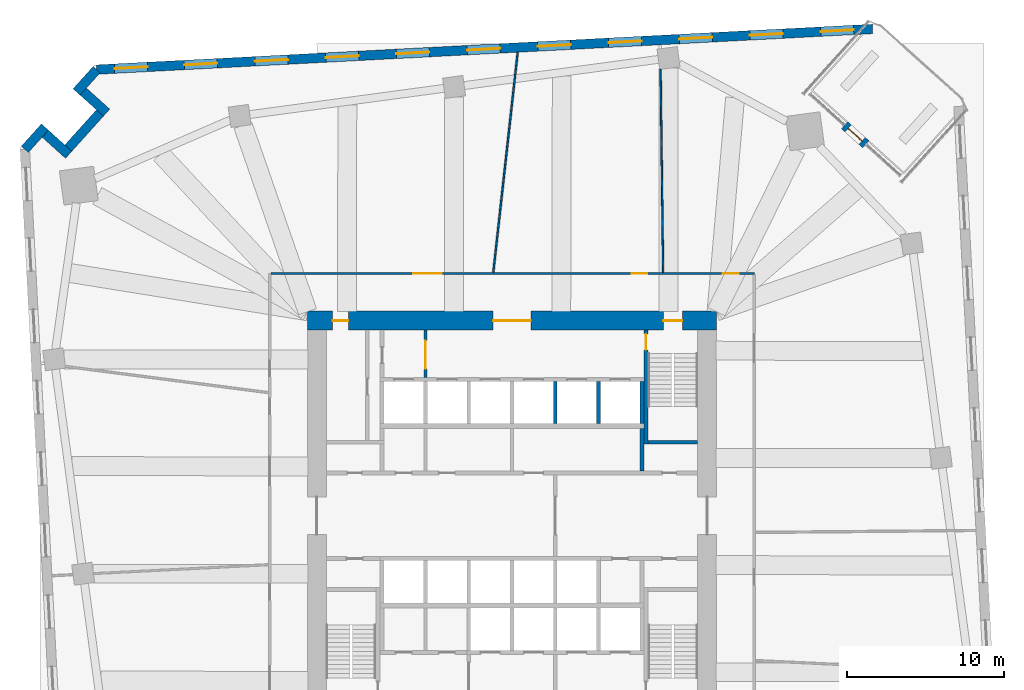
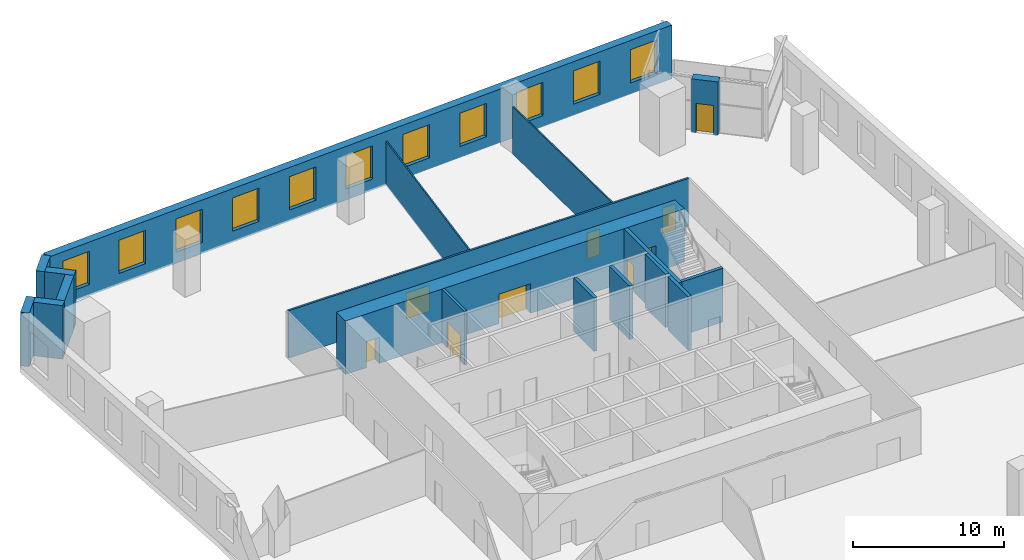
# One storey, part 7 of 10: 18 walls, 11 windows, 9 doors, 20 openings.
"""IFC4 building model written with IfcOpenShell, lengths in metres."""

from ifc_helpers import new_model, si_unit, direction, frame, frame_2d, origin, place, context, subcontext, project, spatial, rectangle, extrude, material, layer, layer_set, type_object, element, fill, save


model = new_model("IFC4")

# Units and contexts
model_context = context("Model", 3, precision=1e-05, world=origin(), true_north=direction((0.0, 1.0)))
body_context = subcontext(model_context, "Body", "Model", "MODEL_VIEW")
ifc_project = project(units=[si_unit("LENGTHUNIT", "METRE"), si_unit("AREAUNIT", "SQUARE_METRE"), si_unit("VOLUMEUNIT", "CUBIC_METRE"), si_unit("PLANEANGLEUNIT", "RADIAN"), si_unit("MASSUNIT", "GRAM", prefix="KILO")], contexts=[model_context])

# Site, building, storey
site_placement = place(None, origin())
site = spatial("IfcSite", under=ifc_project, at=site_placement, CompositionType="ELEMENT")
building_placement = place(site_placement, origin())
building = spatial("IfcBuilding", under=site, at=building_placement, Name="Dilmun Exchange Tower", CompositionType="ELEMENT")
storey_placement = place(building_placement, frame((0.0, 0.0, 22.5)))
storey = spatial("IfcBuildingStorey", under=building, at=storey_placement, Name="L05", CompositionType="ELEMENT", Elevation=22.5)

# Wall, opening, door
ifc_material_1 = material(Name="Concrete C40/50", Category="concrete")
ifc_layer_1 = layer(ifc_material_1, 0.199951171875)
ifc_layer_set_1 = layer_set([ifc_layer_1], Name="Concrete C40/50")
wall_type_1 = type_object("IfcWallType", Name="Core partition wall 200", PredefinedType="PARTITIONING", material=ifc_layer_set_1)
wall_1_placement = place(storey_placement, frame((-5.5, 8.804931640625, 0.0), z_axis=(0.0, 0.0, 1.0), x_axis=(0.0, 1.0, 0.0)))
wall_1 = element("IfcWall", 1, at=wall_1_placement, inside=storey, type_object=wall_type_1, Name="L05 core partition wall 19", PredefinedType="PARTITIONING", context=body_context, shape_type="SweptSolid", body=[
    extrude(rectangle(XDim=2.989990234375, YDim=0.199951171875, at=frame_2d((1.4951171875, 0.0))), origin(), (0.0, 0.0, 1.0), 4.35009765625),
])
opening_1_placement = place(wall_1_placement, frame((0.532470703125, 0.0, 0.0)))
opening_1 = element("IfcOpeningElement", 2, at=opening_1_placement, cuts=wall_1, Name="Opening CD5", PredefinedType="OPENING", context=body_context, shape_type="SweptSolid", body=[
    extrude(rectangle(XDim=1.800048828125, YDim=2.10009765625, at=frame_2d((0.89990234375, 1.050048828125))), frame((0.0, 0.10986328125, 0.0), z_axis=(0.0, -1.0, 0.0), x_axis=(1.0, 0.0, 0.0)), (0.0, 0.0, 1.0), 0.219970703125),
])
ifc_material_2 = material(Name="Fire-rated steel door set", Category="steel")
door_type_1 = type_object("IfcDoorType", Name="Stair exit door 1800x2100", OperationType="SINGLE_SWING_LEFT", PredefinedType="DOOR", material=ifc_material_2)
door_1_placement = place(opening_1_placement, origin())
door_1 = element("IfcDoor", 3, at=door_1_placement, inside=storey, type_object=door_type_1, Name="L05 door Lift lobby east", OperationType="SINGLE_SWING_LEFT", OverallHeight=2.10009765625, OverallWidth=1.800048828125, PredefinedType="DOOR", context=body_context, shape_type="SweptSolid", body=[
    extrude(rectangle(XDim=1.800048828125, YDim=2.10009765625, at=frame_2d((0.89990234375, 1.050048828125))), frame((0.0, 0.02490234375, 0.0), z_axis=(0.0, -1.0, 0.0), x_axis=(1.0, 0.0, 0.0)), (0.0, 0.0, 1.0), 0.050048828125),
])
fill(opening_1, door_1)

# Wall
ifc_layer_2 = layer(ifc_material_1, 0.25)
ifc_layer_set_2 = layer_set([ifc_layer_2], Name="Concrete C40/50")
wall_type_2 = type_object("IfcWallType", Name="Core partition wall 250", PredefinedType="PARTITIONING", material=ifc_layer_set_2)
wall_2_placement = place(storey_placement, frame((8.25, 2.85498046875, 0.0), z_axis=(0.0, 0.0, 1.0), x_axis=(0.0, 1.0, 0.0)))
element("IfcWall", 4, at=wall_2_placement, inside=storey, type_object=wall_type_2, Name="L05 core partition wall 14", PredefinedType="PARTITIONING", context=body_context, shape_type="SweptSolid", body=[
    extrude(rectangle(XDim=2.68994140625, YDim=0.25, at=frame_2d((1.344970703125, 0.0))), origin(), (0.0, 0.0, 1.0), 4.35009765625),
])

# Wall, openings, doors
ifc_material_3 = material(Name="Concrete C80/95", Category="concrete")
ifc_layer_3 = layer(ifc_material_3, 1.199951171875)
ifc_layer_set_3 = layer_set([ifc_layer_3], Name="Concrete C80/95")
wall_type_3 = type_object("IfcWallType", Name="Core shear wall 1200 Concrete C80/95", PredefinedType="SHEAR", material=ifc_layer_set_3)
wall_3_placement = place(storey_placement, frame((-13.0, 12.39990234375, 0.0), z_axis=(0.0, 0.0, 1.0), x_axis=(1.0, 0.0, 0.0)))
wall_3 = element("IfcWall", 5, at=wall_3_placement, inside=storey, type_object=wall_type_3, Name="L05 core shear wall N", PredefinedType="SHEAR", context=body_context, shape_type="SweptSolid", body=[
    extrude(rectangle(XDim=26.0, YDim=1.199951171875, at=frame_2d((13.0, 0.0))), origin(), (0.0, 0.0, 1.0), 4.35009765625),
])
opening_2_placement = place(wall_3_placement, frame((11.800048828125, 0.0, 0.0)))
opening_2 = element("IfcOpeningElement", 6, at=opening_2_placement, cuts=wall_3, Name="Opening CD1", PredefinedType="OPENING", context=body_context, shape_type="SweptSolid", body=[
    extrude(rectangle(XDim=2.39990234375, YDim=2.39990234375, at=frame_2d((1.199951171875, 1.199951171875))), frame((0.0, 0.60986328125, 0.0), z_axis=(0.0, -1.0, 0.0), x_axis=(1.0, 0.0, 0.0)), (0.0, 0.0, 1.0), 1.219970703125),
])
opening_3_placement = place(wall_3_placement, frame((22.625, 0.0, 0.0)))
opening_3 = element("IfcOpeningElement", 7, at=opening_3_placement, cuts=wall_3, Name="Opening CD3", PredefinedType="OPENING", context=body_context, shape_type="SweptSolid", body=[
    extrude(rectangle(XDim=1.199951171875, YDim=2.10009765625, at=frame_2d((0.60009765625, 1.050048828125))), frame((0.0, 0.60986328125, 0.0), z_axis=(0.0, -1.0, 0.0), x_axis=(1.0, 0.0, 0.0)), (0.0, 0.0, 1.0), 1.219970703125),
])
opening_4_placement = place(wall_3_placement, frame((1.60009765625, 0.0, 0.0)))
opening_4 = element("IfcOpeningElement", 8, at=opening_4_placement, cuts=wall_3, Name="Opening CD4", PredefinedType="OPENING", context=body_context, shape_type="SweptSolid", body=[
    extrude(rectangle(XDim=1.0, YDim=2.10009765625, at=frame_2d((0.5, 1.050048828125))), frame((0.0, 0.60986328125, 0.0), z_axis=(0.0, -1.0, 0.0), x_axis=(1.0, 0.0, 0.0)), (0.0, 0.0, 1.0), 1.219970703125),
])
door_type_2 = type_object("IfcDoorType", Name="Core lobby door 2400x2400", OperationType="DOUBLE_DOOR_DOUBLE_SWING", PredefinedType="DOOR", material=ifc_material_2)
door_2_placement = place(opening_2_placement, origin())
door_2 = element("IfcDoor", 9, at=door_2_placement, inside=storey, type_object=door_type_2, Name="L05 door North lift lobby", OperationType="SINGLE_SWING_LEFT", OverallHeight=2.39990234375, OverallWidth=2.39990234375, PredefinedType="DOOR", context=body_context, shape_type="SweptSolid", body=[
    extrude(rectangle(XDim=2.39990234375, YDim=2.39990234375, at=frame_2d((1.199951171875, 1.199951171875))), frame((0.0, 0.02490234375, 0.0), z_axis=(0.0, -1.0, 0.0), x_axis=(1.0, 0.0, 0.0)), (0.0, 0.0, 1.0), 0.050048828125),
])
fill(opening_2, door_2)
door_type_3 = type_object("IfcDoorType", Name="Core room door 1000x2100", OperationType="SINGLE_SWING_LEFT", PredefinedType="DOOR", material=ifc_material_2)
door_3_placement = place(opening_4_placement, origin())
door_3 = element("IfcDoor", 10, at=door_3_placement, inside=storey, type_object=door_type_3, Name="L05 door North-west core rooms", OperationType="SINGLE_SWING_LEFT", OverallHeight=2.10009765625, OverallWidth=1.0, PredefinedType="DOOR", context=body_context, shape_type="SweptSolid", body=[
    extrude(rectangle(XDim=1.0, YDim=2.10009765625, at=frame_2d((0.5, 1.050048828125))), frame((0.0, 0.02490234375, 0.0), z_axis=(0.0, -1.0, 0.0), x_axis=(1.0, 0.0, 0.0)), (0.0, 0.0, 1.0), 0.050048828125),
])
fill(opening_4, door_3)
door_type_4 = type_object("IfcDoorType", Name="Stair exit door 1200x2100", OperationType="SINGLE_SWING_LEFT", PredefinedType="DOOR", material=ifc_material_2)
door_4_placement = place(opening_3_placement, origin())
door_4 = element("IfcDoor", 11, at=door_4_placement, inside=storey, type_object=door_type_4, Name="L05 door Stair ST1", OperationType="SINGLE_SWING_LEFT", OverallHeight=2.10009765625, OverallWidth=1.199951171875, PredefinedType="DOOR", context=body_context, shape_type="SweptSolid", body=[
    extrude(rectangle(XDim=1.199951171875, YDim=2.10009765625, at=frame_2d((0.60009765625, 1.050048828125))), frame((0.0, 0.02490234375, 0.0), z_axis=(0.0, -1.0, 0.0), x_axis=(1.0, 0.0, 0.0)), (0.0, 0.0, 1.0), 0.050048828125),
])
fill(opening_3, door_4)

ifc_material_4 = material(Name="Corridor wall 150")
ifc_layer_4 = layer(ifc_material_4, 0.14990234375)
ifc_layer_set_4 = layer_set([ifc_layer_4], Name="Corridor wall 150")
wall_type_4 = type_object("IfcWallType", Name="Corridor wall 150", PredefinedType="PARTITIONING", material=ifc_layer_set_4)
wall_4_placement = place(storey_placement, frame((-15.324951171875, 15.39990234375, 0.0), z_axis=(0.0, 0.0, 1.0), x_axis=(1.0, 0.0, 0.0)))
wall_4 = element("IfcWall", 12, at=wall_4_placement, inside=storey, type_object=wall_type_4, Name="Corridor wall", PredefinedType="PARTITIONING", context=body_context, shape_type="SweptSolid", body=[
    extrude(rectangle(XDim=30.724853515625, YDim=0.14990234375, at=frame_2d((15.3623046875, 0.0))), origin(), (0.0, 0.0, 1.0), 3.85009765625),
])
opening_5_placement = place(wall_4_placement, frame((9.050048828125, 0.0, 0.0)))
opening_5 = element("IfcOpeningElement", 13, at=opening_5_placement, cuts=wall_4, Name="Opening TF05-D05", PredefinedType="OPENING", context=body_context, shape_type="SweptSolid", body=[
    extrude(rectangle(XDim=1.800048828125, YDim=2.10009765625, at=frame_2d((0.89990234375, 1.050048828125))), frame((0.0, 0.0849609375, 0.0), z_axis=(0.0, -1.0, 0.0), x_axis=(1.0, 0.0, 0.0)), (0.0, 0.0, 1.0), 0.169921875),
])
opening_6_placement = place(wall_4_placement, frame((22.92919921875, 0.0, 0.0)))
opening_6 = element("IfcOpeningElement", 14, at=opening_6_placement, cuts=wall_4, Name="Opening TF05-D08", PredefinedType="OPENING", context=body_context, shape_type="SweptSolid", body=[
    extrude(rectangle(XDim=1.0, YDim=2.10009765625, at=frame_2d((0.5, 1.050048828125))), frame((0.0, 0.0849609375, 0.0), z_axis=(0.0, -1.0, 0.0), x_axis=(1.0, 0.0, 0.0)), (0.0, 0.0, 1.0), 0.169921875),
])
opening_7_placement = place(wall_4_placement, frame((28.7294921875, 0.0, 0.0)))
opening_7 = element("IfcOpeningElement", 15, at=opening_7_placement, cuts=wall_4, Name="Opening TF05-D12", PredefinedType="OPENING", context=body_context, shape_type="SweptSolid", body=[
    extrude(rectangle(XDim=1.0, YDim=2.10009765625, at=frame_2d((0.5, 1.050048828125))), frame((0.0, 0.0849609375, 0.0), z_axis=(0.0, -1.0, 0.0), x_axis=(1.0, 0.0, 0.0)), (0.0, 0.0, 1.0), 0.169921875),
])
ifc_material_5 = material(Name="Fire door 1000 x 2100")
door_type_5 = type_object("IfcDoorType", Name="Fire door 1000 x 2100", OperationType="NOTDEFINED", PredefinedType="DOOR", material=ifc_material_5)
door_5_placement = place(opening_6_placement, origin())
door_5 = element("IfcDoor", 16, at=door_5_placement, inside=storey, type_object=door_type_5, Name="Door TF05-D08", OperationType="SINGLE_SWING_RIGHT", OverallHeight=2.10009765625, OverallWidth=1.0, PredefinedType="DOOR", context=body_context, shape_type="SweptSolid", body=[
    extrude(rectangle(XDim=1.0, YDim=2.10009765625, at=frame_2d((0.5, 1.050048828125))), frame((0.0, 0.02490234375, 0.0), z_axis=(0.0, -1.0, 0.0), x_axis=(1.0, 0.0, 0.0)), (0.0, 0.0, 1.0), 0.050048828125),
])
fill(opening_6, door_5)
door_6_placement = place(opening_7_placement, origin())
door_6 = element("IfcDoor", 17, at=door_6_placement, inside=storey, type_object=door_type_5, Name="Door TF05-D12", OperationType="SINGLE_SWING_RIGHT", OverallHeight=2.10009765625, OverallWidth=1.0, PredefinedType="DOOR", context=body_context, shape_type="SweptSolid", body=[
    extrude(rectangle(XDim=1.0, YDim=2.10009765625, at=frame_2d((0.5, 1.050048828125))), frame((0.0, 0.02490234375, 0.0), z_axis=(0.0, -1.0, 0.0), x_axis=(1.0, 0.0, 0.0)), (0.0, 0.0, 1.0), 0.050048828125),
])
fill(opening_7, door_6)
ifc_material_6 = material(Name="Fire door pair 1800 x 2100")
door_type_6 = type_object("IfcDoorType", Name="Fire door pair 1800 x 2100", OperationType="NOTDEFINED", PredefinedType="DOOR", material=ifc_material_6)
door_7_placement = place(opening_5_placement, origin())
door_7 = element("IfcDoor", 18, at=door_7_placement, inside=storey, type_object=door_type_6, Name="Door TF05-D05", OperationType="DOUBLE_DOOR_SINGLE_SWING", OverallHeight=2.10009765625, OverallWidth=1.800048828125, PredefinedType="DOOR", context=body_context, shape_type="SweptSolid", body=[
    extrude(rectangle(XDim=1.800048828125, YDim=2.10009765625, at=frame_2d((0.89990234375, 1.050048828125))), frame((0.0, 0.02490234375, 0.0), z_axis=(0.0, -1.0, 0.0), x_axis=(1.0, 0.0, 0.0)), (0.0, 0.0, 1.0), 0.050048828125),
])
fill(opening_5, door_7)

# Walls
ifc_layer_5 = layer(ifc_material_1, 0.25)
ifc_layer_set_5 = layer_set([ifc_layer_5], Name="Concrete C40/50")
wall_type_5 = type_object("IfcWallType", Name="Lift shaft wall 250", PredefinedType="SOLIDWALL", material=ifc_layer_set_5)
for number, where, z_axis, x_axis, name in (
    (19, (2.75, 5.85009765625, 0.0), (0.0, 0.0, 1.0), (0.0, 1.0, 0.0), "L05 lift shaft divider N24"),
    (20, (5.5, 5.85009765625, 0.0), (0.0, 0.0, 1.0), (0.0, 1.0, 0.0), "L05 lift shaft divider N25"),
    (21, (8.25, 5.85009765625, 0.0), (0.0, 0.0, 1.0), (0.0, 1.0, 0.0), "L05 lift shaft divider N26"),
):
    element("IfcWall", number, at=place(storey_placement, frame(where, z_axis=z_axis, x_axis=x_axis)), inside=storey, type_object=wall_type_5, Name=name, PredefinedType="SOLIDWALL", context=body_context, shape_type="SweptSolid", body=[
        extrude(rectangle(XDim=2.699951171875, YDim=0.25, at=frame_2d((1.35009765625, 0.0))), origin(), (0.0, 0.0, 1.0), 4.35009765625),
    ])
ifc_material_7 = material(Name="Partition 100")
ifc_layer_6 = layer(ifc_material_7, 0.10009765625)
ifc_layer_set_6 = layer_set([ifc_layer_6], Name="Partition 100")
wall_type_6 = type_object("IfcWallType", Name="Partition 100", PredefinedType="PARTITIONING", material=ifc_layer_set_6)
wall_5_placement = place(storey_placement, frame((-1.18701171875, 15.48046875, 0.0), z_axis=(0.0, 0.0, 1.0), x_axis=(0.110071375312, 0.993923685369, 0.0)))
element("IfcWall", 22, at=wall_5_placement, inside=storey, type_object=wall_type_6, Name="Partition", PredefinedType="PARTITIONING", context=body_context, shape_type="SweptSolid", body=[
    extrude(rectangle(XDim=14.062255859375, YDim=0.10009765625, at=frame_2d((7.03125, 0.0))), origin(), (0.0, 0.0, 1.0), 3.550048828125),
])
wall_6_placement = place(storey_placement, frame((9.442138671875, 28.369140625, 0.0), z_axis=(0.0, 0.0, 1.0), x_axis=(0.01255297586, -0.999921208294, 0.0)))
element("IfcWall", 23, at=wall_6_placement, inside=storey, type_object=wall_type_6, Name="Partition", PredefinedType="PARTITIONING", context=body_context, shape_type="SweptSolid", body=[
    extrude(rectangle(XDim=12.89453125, YDim=0.10009765625, at=frame_2d((6.447265625, 0.0))), origin(), (0.0, 0.0, 1.0), 3.85009765625),
])

# Wall, openings, windows
ifc_material_8 = material(Name="Precast concrete C50/60", Category="concrete")
ifc_layer_7 = layer(ifc_material_8, 0.60009765625)
ifc_layer_set_7 = layer_set([ifc_layer_7], Name="Precast concrete C50/60")
wall_type_7 = type_object("IfcWallType", Name="Precast stone-clad wall 600", PredefinedType="STANDARD", material=ifc_layer_set_7)
wall_7_placement = place(storey_placement, frame((22.912109375, 30.94140625, 0.0), z_axis=(0.0, 0.0, 1.0), x_axis=(-0.998629687104, -0.052333049168, 0.0)))
wall_7 = element("IfcWall", 24, at=wall_7_placement, inside=storey, type_object=wall_type_7, Name="Facade wall L05-03", PredefinedType="STANDARD", context=body_context, shape_type="SweptSolid", body=[
    extrude(rectangle(XDim=49.375732421875, YDim=0.60009765625, at=frame_2d((24.68798828125, 0.0))), origin(), (0.0, 0.0, 1.0), 4.35009765625),
])
opening_8_placement = place(wall_7_placement, frame((1.199951171875, 0.0, 0.89990234375)))
opening_8 = element("IfcOpeningElement", 25, at=opening_8_placement, cuts=wall_7, Name="Opening W210-270", PredefinedType="OPENING", context=body_context, shape_type="SweptSolid", body=[
    extrude(rectangle(XDim=2.10009765625, YDim=2.699951171875, at=frame_2d((1.050048828125, 1.35009765625))), frame((0.0, 0.31005859375, 0.0), z_axis=(0.0, -1.0, 0.0), x_axis=(1.0, 0.0, 0.0)), (0.0, 0.0, 1.0), 0.6201171875),
])
opening_9_placement = place(wall_7_placement, frame((5.699951171875, 0.0, 0.89990234375)))
opening_9 = element("IfcOpeningElement", 26, at=opening_9_placement, cuts=wall_7, Name="Opening W210-270", PredefinedType="OPENING", context=body_context, shape_type="SweptSolid", body=[
    extrude(rectangle(XDim=2.10009765625, YDim=2.699951171875, at=frame_2d((1.050048828125, 1.35009765625))), frame((0.0, 0.31005859375, 0.0), z_axis=(0.0, -1.0, 0.0), x_axis=(1.0, 0.0, 0.0)), (0.0, 0.0, 1.0), 0.6201171875),
])
opening_10_placement = place(wall_7_placement, frame((10.199951171875, 0.0, 0.89990234375)))
opening_10 = element("IfcOpeningElement", 27, at=opening_10_placement, cuts=wall_7, Name="Opening W210-270", PredefinedType="OPENING", context=body_context, shape_type="SweptSolid", body=[
    extrude(rectangle(XDim=2.10009765625, YDim=2.699951171875, at=frame_2d((1.050048828125, 1.35009765625))), frame((0.0, 0.31005859375, 0.0), z_axis=(0.0, -1.0, 0.0), x_axis=(1.0, 0.0, 0.0)), (0.0, 0.0, 1.0), 0.6201171875),
])
opening_11_placement = place(wall_7_placement, frame((14.699951171875, 0.0, 0.89990234375)))
opening_11 = element("IfcOpeningElement", 28, at=opening_11_placement, cuts=wall_7, Name="Opening W210-270", PredefinedType="OPENING", context=body_context, shape_type="SweptSolid", body=[
    extrude(rectangle(XDim=2.10009765625, YDim=2.699951171875, at=frame_2d((1.050048828125, 1.35009765625))), frame((0.0, 0.31005859375, 0.0), z_axis=(0.0, -1.0, 0.0), x_axis=(1.0, 0.0, 0.0)), (0.0, 0.0, 1.0), 0.6201171875),
])
opening_12_placement = place(wall_7_placement, frame((19.199951171875, 0.0, 0.89990234375)))
opening_12 = element("IfcOpeningElement", 29, at=opening_12_placement, cuts=wall_7, Name="Opening W210-270", PredefinedType="OPENING", context=body_context, shape_type="SweptSolid", body=[
    extrude(rectangle(XDim=2.10009765625, YDim=2.699951171875, at=frame_2d((1.050048828125, 1.35009765625))), frame((0.0, 0.31005859375, 0.0), z_axis=(0.0, -1.0, 0.0), x_axis=(1.0, 0.0, 0.0)), (0.0, 0.0, 1.0), 0.6201171875),
])
opening_13_placement = place(wall_7_placement, frame((23.699951171875, 0.0, 0.89990234375)))
opening_13 = element("IfcOpeningElement", 30, at=opening_13_placement, cuts=wall_7, Name="Opening W210-270", PredefinedType="OPENING", context=body_context, shape_type="SweptSolid", body=[
    extrude(rectangle(XDim=2.10009765625, YDim=2.699951171875, at=frame_2d((1.050048828125, 1.35009765625))), frame((0.0, 0.31005859375, 0.0), z_axis=(0.0, -1.0, 0.0), x_axis=(1.0, 0.0, 0.0)), (0.0, 0.0, 1.0), 0.6201171875),
])
opening_14_placement = place(wall_7_placement, frame((28.199951171875, 0.0, 0.89990234375)))
opening_14 = element("IfcOpeningElement", 31, at=opening_14_placement, cuts=wall_7, Name="Opening W210-270", PredefinedType="OPENING", context=body_context, shape_type="SweptSolid", body=[
    extrude(rectangle(XDim=2.10009765625, YDim=2.699951171875, at=frame_2d((1.050048828125, 1.35009765625))), frame((0.0, 0.31005859375, 0.0), z_axis=(0.0, -1.0, 0.0), x_axis=(1.0, 0.0, 0.0)), (0.0, 0.0, 1.0), 0.6201171875),
])
opening_15_placement = place(wall_7_placement, frame((32.699951171875, 0.0, 0.89990234375)))
opening_15 = element("IfcOpeningElement", 32, at=opening_15_placement, cuts=wall_7, Name="Opening W210-270", PredefinedType="OPENING", context=body_context, shape_type="SweptSolid", body=[
    extrude(rectangle(XDim=2.10009765625, YDim=2.699951171875, at=frame_2d((1.050048828125, 1.35009765625))), frame((0.0, 0.31005859375, 0.0), z_axis=(0.0, -1.0, 0.0), x_axis=(1.0, 0.0, 0.0)), (0.0, 0.0, 1.0), 0.6201171875),
])
opening_16_placement = place(wall_7_placement, frame((37.199951171875, 0.0, 0.89990234375)))
opening_16 = element("IfcOpeningElement", 33, at=opening_16_placement, cuts=wall_7, Name="Opening W210-270", PredefinedType="OPENING", context=body_context, shape_type="SweptSolid", body=[
    extrude(rectangle(XDim=2.10009765625, YDim=2.699951171875, at=frame_2d((1.050048828125, 1.35009765625))), frame((0.0, 0.31005859375, 0.0), z_axis=(0.0, -1.0, 0.0), x_axis=(1.0, 0.0, 0.0)), (0.0, 0.0, 1.0), 0.6201171875),
])
opening_17_placement = place(wall_7_placement, frame((41.699951171875, 0.0, 0.89990234375)))
opening_17 = element("IfcOpeningElement", 34, at=opening_17_placement, cuts=wall_7, Name="Opening W210-270", PredefinedType="OPENING", context=body_context, shape_type="SweptSolid", body=[
    extrude(rectangle(XDim=2.10009765625, YDim=2.699951171875, at=frame_2d((1.050048828125, 1.35009765625))), frame((0.0, 0.31005859375, 0.0), z_axis=(0.0, -1.0, 0.0), x_axis=(1.0, 0.0, 0.0)), (0.0, 0.0, 1.0), 0.6201171875),
])
opening_18_placement = place(wall_7_placement, frame((46.137939453125, 0.0, 0.89990234375)))
opening_18 = element("IfcOpeningElement", 35, at=opening_18_placement, cuts=wall_7, Name="Opening W210-270", PredefinedType="OPENING", context=body_context, shape_type="SweptSolid", body=[
    extrude(rectangle(XDim=2.10009765625, YDim=2.699951171875, at=frame_2d((1.050048828125, 1.35009765625))), frame((0.0, 0.31005859375, 0.0), z_axis=(0.0, -1.0, 0.0), x_axis=(1.0, 0.0, 0.0)), (0.0, 0.0, 1.0), 0.6201171875),
])
ifc_material_9 = material(Name="Clear low-emissivity glass in aluminium frame", Category="aluminium")
window_type = type_object("IfcWindowType", Name="Punched window 2100 x 2700", PartitioningType="DOUBLE_PANEL_VERTICAL", PredefinedType="WINDOW", material=ifc_material_9)
window_1_placement = place(opening_8_placement, origin())
window_1 = element("IfcWindow", 36, at=window_1_placement, inside=storey, type_object=window_type, Name="Window 4.1", OverallHeight=2.699951171875, OverallWidth=2.10009765625, PartitioningType="SINGLE_PANEL", PredefinedType="WINDOW", context=body_context, shape_type="SweptSolid", body=[
    extrude(rectangle(XDim=2.10009765625, YDim=2.699951171875, at=frame_2d((1.050048828125, 1.35009765625))), frame((0.0, 0.030029296875, 0.0), z_axis=(0.0, -1.0, 0.0), x_axis=(1.0, 0.0, 0.0)), (0.0, 0.0, 1.0), 0.06005859375),
])
fill(opening_8, window_1)
window_2_placement = place(opening_9_placement, origin())
window_2 = element("IfcWindow", 37, at=window_2_placement, inside=storey, type_object=window_type, Name="Window 4.2", OverallHeight=2.699951171875, OverallWidth=2.10009765625, PartitioningType="SINGLE_PANEL", PredefinedType="WINDOW", context=body_context, shape_type="SweptSolid", body=[
    extrude(rectangle(XDim=2.10009765625, YDim=2.699951171875, at=frame_2d((1.050048828125, 1.35009765625))), frame((0.0, 0.030029296875, 0.0), z_axis=(0.0, -1.0, 0.0), x_axis=(1.0, 0.0, 0.0)), (0.0, 0.0, 1.0), 0.06005859375),
])
fill(opening_9, window_2)
window_3_placement = place(opening_10_placement, origin())
window_3 = element("IfcWindow", 38, at=window_3_placement, inside=storey, type_object=window_type, Name="Window 4.3", OverallHeight=2.699951171875, OverallWidth=2.10009765625, PartitioningType="SINGLE_PANEL", PredefinedType="WINDOW", context=body_context, shape_type="SweptSolid", body=[
    extrude(rectangle(XDim=2.10009765625, YDim=2.699951171875, at=frame_2d((1.050048828125, 1.35009765625))), frame((0.0, 0.030029296875, 0.0), z_axis=(0.0, -1.0, 0.0), x_axis=(1.0, 0.0, 0.0)), (0.0, 0.0, 1.0), 0.06005859375),
])
fill(opening_10, window_3)
window_4_placement = place(opening_11_placement, origin())
window_4 = element("IfcWindow", 39, at=window_4_placement, inside=storey, type_object=window_type, Name="Window 4.4", OverallHeight=2.699951171875, OverallWidth=2.10009765625, PartitioningType="SINGLE_PANEL", PredefinedType="WINDOW", context=body_context, shape_type="SweptSolid", body=[
    extrude(rectangle(XDim=2.10009765625, YDim=2.699951171875, at=frame_2d((1.050048828125, 1.35009765625))), frame((0.0, 0.030029296875, 0.0), z_axis=(0.0, -1.0, 0.0), x_axis=(1.0, 0.0, 0.0)), (0.0, 0.0, 1.0), 0.06005859375),
])
fill(opening_11, window_4)
window_5_placement = place(opening_12_placement, origin())
window_5 = element("IfcWindow", 40, at=window_5_placement, inside=storey, type_object=window_type, Name="Window 4.5", OverallHeight=2.699951171875, OverallWidth=2.10009765625, PartitioningType="SINGLE_PANEL", PredefinedType="WINDOW", context=body_context, shape_type="SweptSolid", body=[
    extrude(rectangle(XDim=2.10009765625, YDim=2.699951171875, at=frame_2d((1.050048828125, 1.35009765625))), frame((0.0, 0.030029296875, 0.0), z_axis=(0.0, -1.0, 0.0), x_axis=(1.0, 0.0, 0.0)), (0.0, 0.0, 1.0), 0.06005859375),
])
fill(opening_12, window_5)
window_6_placement = place(opening_13_placement, origin())
window_6 = element("IfcWindow", 41, at=window_6_placement, inside=storey, type_object=window_type, Name="Window 4.6", OverallHeight=2.699951171875, OverallWidth=2.10009765625, PartitioningType="SINGLE_PANEL", PredefinedType="WINDOW", context=body_context, shape_type="SweptSolid", body=[
    extrude(rectangle(XDim=2.10009765625, YDim=2.699951171875, at=frame_2d((1.050048828125, 1.35009765625))), frame((0.0, 0.030029296875, 0.0), z_axis=(0.0, -1.0, 0.0), x_axis=(1.0, 0.0, 0.0)), (0.0, 0.0, 1.0), 0.06005859375),
])
fill(opening_13, window_6)
window_7_placement = place(opening_14_placement, origin())
window_7 = element("IfcWindow", 42, at=window_7_placement, inside=storey, type_object=window_type, Name="Window 4.7", OverallHeight=2.699951171875, OverallWidth=2.10009765625, PartitioningType="SINGLE_PANEL", PredefinedType="WINDOW", context=body_context, shape_type="SweptSolid", body=[
    extrude(rectangle(XDim=2.10009765625, YDim=2.699951171875, at=frame_2d((1.050048828125, 1.35009765625))), frame((0.0, 0.030029296875, 0.0), z_axis=(0.0, -1.0, 0.0), x_axis=(1.0, 0.0, 0.0)), (0.0, 0.0, 1.0), 0.06005859375),
])
fill(opening_14, window_7)
window_8_placement = place(opening_15_placement, origin())
window_8 = element("IfcWindow", 43, at=window_8_placement, inside=storey, type_object=window_type, Name="Window 4.8", OverallHeight=2.699951171875, OverallWidth=2.10009765625, PartitioningType="SINGLE_PANEL", PredefinedType="WINDOW", context=body_context, shape_type="SweptSolid", body=[
    extrude(rectangle(XDim=2.10009765625, YDim=2.699951171875, at=frame_2d((1.050048828125, 1.35009765625))), frame((0.0, 0.030029296875, 0.0), z_axis=(0.0, -1.0, 0.0), x_axis=(1.0, 0.0, 0.0)), (0.0, 0.0, 1.0), 0.06005859375),
])
fill(opening_15, window_8)
window_9_placement = place(opening_16_placement, origin())
window_9 = element("IfcWindow", 44, at=window_9_placement, inside=storey, type_object=window_type, Name="Window 4.9", OverallHeight=2.699951171875, OverallWidth=2.10009765625, PartitioningType="SINGLE_PANEL", PredefinedType="WINDOW", context=body_context, shape_type="SweptSolid", body=[
    extrude(rectangle(XDim=2.10009765625, YDim=2.699951171875, at=frame_2d((1.050048828125, 1.35009765625))), frame((0.0, 0.030029296875, 0.0), z_axis=(0.0, -1.0, 0.0), x_axis=(1.0, 0.0, 0.0)), (0.0, 0.0, 1.0), 0.06005859375),
])
fill(opening_16, window_9)
window_10_placement = place(opening_17_placement, origin())
window_10 = element("IfcWindow", 45, at=window_10_placement, inside=storey, type_object=window_type, Name="Window 4.10", OverallHeight=2.699951171875, OverallWidth=2.10009765625, PartitioningType="SINGLE_PANEL", PredefinedType="WINDOW", context=body_context, shape_type="SweptSolid", body=[
    extrude(rectangle(XDim=2.10009765625, YDim=2.699951171875, at=frame_2d((1.050048828125, 1.35009765625))), frame((0.0, 0.030029296875, 0.0), z_axis=(0.0, -1.0, 0.0), x_axis=(1.0, 0.0, 0.0)), (0.0, 0.0, 1.0), 0.06005859375),
])
fill(opening_17, window_10)
window_11_placement = place(opening_18_placement, origin())
window_11 = element("IfcWindow", 46, at=window_11_placement, inside=storey, type_object=window_type, Name="Window 4.11", OverallHeight=2.699951171875, OverallWidth=2.10009765625, PartitioningType="SINGLE_PANEL", PredefinedType="WINDOW", context=body_context, shape_type="SweptSolid", body=[
    extrude(rectangle(XDim=2.10009765625, YDim=2.699951171875, at=frame_2d((1.050048828125, 1.35009765625))), frame((0.0, 0.030029296875, 0.0), z_axis=(0.0, -1.0, 0.0), x_axis=(1.0, 0.0, 0.0)), (0.0, 0.0, 1.0), 0.06005859375),
])
fill(opening_18, window_11)

# Walls
wall_8_placement = place(storey_placement, frame((-26.39599609375, 28.357421875, 0.0), z_axis=(0.0, 0.0, 1.0), x_axis=(-0.669091754139, -0.743179806334, 0.0)))
element("IfcWall", 47, at=wall_8_placement, inside=storey, type_object=wall_type_7, Name="Facade wall L05-04", PredefinedType="STANDARD", context=body_context, shape_type="SweptSolid", body=[
    extrude(rectangle(XDim=1.911376953125, YDim=0.60009765625, at=frame_2d((0.95556640625, 0.0))), origin(), (0.0, 0.0, 1.0), 4.35009765625),
])
wall_9_placement = place(storey_placement, frame((-27.251220703125, 26.959228515625, 0.0), z_axis=(0.0, 0.0, 1.0), x_axis=(0.743184876971, -0.669086121991, 0.0)))
element("IfcWall", 48, at=wall_9_placement, inside=storey, type_object=wall_type_7, Name="Facade wall L05-05", PredefinedType="STANDARD", context=body_context, shape_type="SweptSolid", body=[
    extrude(rectangle(XDim=2.0, YDim=0.60009765625, at=frame_2d((1.0, 0.0))), origin(), (0.0, 0.0, 1.0), 4.35009765625),
])
wall_10_placement = place(storey_placement, frame((-26.188720703125, 25.598876953125, 0.0), z_axis=(0.0, 0.0, 1.0), x_axis=(-0.669108595814, -0.743164643271, 0.0)))
element("IfcWall", 49, at=wall_10_placement, inside=storey, type_object=wall_type_7, Name="Facade wall L05-06", PredefinedType="STANDARD", context=body_context, shape_type="SweptSolid", body=[
    extrude(rectangle(XDim=3.0, YDim=0.60009765625, at=frame_2d((1.5, 0.0))), origin(), (0.0, 0.0, 1.0), 4.35009765625),
])
wall_11_placement = place(storey_placement, frame((-28.173828125, 22.94580078125, 0.0), z_axis=(0.0, 0.0, 1.0), x_axis=(-0.743184876971, 0.669086121991, 0.0)))
element("IfcWall", 50, at=wall_11_placement, inside=storey, type_object=wall_type_7, Name="Facade wall L05-07", PredefinedType="STANDARD", context=body_context, shape_type="SweptSolid", body=[
    extrude(rectangle(XDim=2.0, YDim=0.60009765625, at=frame_2d((1.0, 0.0))), origin(), (0.0, 0.0, 1.0), 4.35009765625),
])
wall_12_placement = place(storey_placement, frame((-29.682373046875, 24.70751953125, 0.0), z_axis=(0.0, 0.0, 1.0), x_axis=(-0.669155276156, -0.743122611951, 0.0)))
element("IfcWall", 51, at=wall_12_placement, inside=storey, type_object=wall_type_7, Name="Facade wall L05-08", PredefinedType="STANDARD", context=body_context, shape_type="SweptSolid", body=[
    extrude(rectangle(XDim=1.9111328125, YDim=0.60009765625, at=frame_2d((0.95556640625, 0.0))), origin(), (0.0, 0.0, 1.0), 4.35009765625),
])

# Wall, opening, door
wall_13_placement = place(storey_placement, frame((22.476318359375, 23.617431640625, 0.0), z_axis=(0.0, 0.0, 1.0), x_axis=(-0.743098542319, 0.669182005439, 0.0)))
wall_13 = element("IfcWall", 52, at=wall_13_placement, inside=storey, type_object=wall_type_7, Name="Facade wall L05-01-D", PredefinedType="STANDARD", context=body_context, shape_type="SweptSolid", body=[
    extrude(rectangle(XDim=1.800048828125, YDim=0.60009765625, at=frame_2d((0.89990234375, 0.0))), origin(), (0.0, 0.0, 1.0), 4.35009765625),
])
opening_19_placement = place(wall_13_placement, frame((0.300048828125, 0.0, 0.0)))
opening_19 = element("IfcOpeningElement", 53, at=opening_19_placement, cuts=wall_13, Name="Opening GD-1", PredefinedType="OPENING", context=body_context, shape_type="SweptSolid", body=[
    extrude(rectangle(XDim=1.199951171875, YDim=2.39990234375, at=frame_2d((0.60009765625, 1.199951171875))), frame((0.0, 0.31005859375, 0.0), z_axis=(0.0, -1.0, 0.0), x_axis=(1.0, 0.0, 0.0)), (0.0, 0.0, 1.0), 0.6201171875),
])
door_type_7 = type_object("IfcDoorType", Name="Glazed garden door 1200 x 2400", OperationType="SINGLE_SWING_LEFT", PredefinedType="DOOR", material=ifc_material_9)
door_8_placement = place(opening_19_placement, origin())
door_8 = element("IfcDoor", 54, at=door_8_placement, inside=storey, type_object=door_type_7, Name="Garden terrace door", OperationType="SINGLE_SWING_LEFT", OverallHeight=2.39990234375, OverallWidth=1.199951171875, PredefinedType="DOOR", context=body_context, shape_type="SweptSolid", body=[
    extrude(rectangle(XDim=1.199951171875, YDim=2.39990234375, at=frame_2d((0.60009765625, 1.199951171875))), frame((0.0, 0.02490234375, 0.0), z_axis=(0.0, -1.0, 0.0), x_axis=(1.0, 0.0, 0.0)), (0.0, 0.0, 1.0), 0.050048828125),
])
fill(opening_19, door_8)

# Wall
ifc_layer_8 = layer(ifc_material_1, 0.25)
ifc_layer_set_8 = layer_set([ifc_layer_8], Name="Concrete C40/50")
wall_type_8 = type_object("IfcWallType", Name="Stair end wall 250", PredefinedType="SOLIDWALL", material=ifc_layer_set_8)
wall_14_placement = place(storey_placement, frame((8.64990234375, 4.675048828125, 0.0), z_axis=(0.0, 0.0, 1.0), x_axis=(1.0, 0.0, 0.0)))
element("IfcWall", 55, at=wall_14_placement, inside=storey, type_object=wall_type_8, Name="L05 ST1 far wall", PredefinedType="SOLIDWALL", context=body_context, shape_type="SweptSolid", body=[
    extrude(rectangle(XDim=3.150146484375, YDim=0.25, at=frame_2d((1.5751953125, 0.0))), origin(), (0.0, 0.0, 1.0), 4.35009765625),
])

# Wall, opening, door
ifc_layer_9 = layer(ifc_material_1, 0.27490234375)
ifc_layer_set_9 = layer_set([ifc_layer_9], Name="Concrete C40/50")
wall_type_9 = type_object("IfcWallType", Name="Stair wall 275", PredefinedType="SOLIDWALL", material=ifc_layer_set_9)
wall_15_placement = place(storey_placement, frame((8.512451171875, 4.550048828125, 0.0), z_axis=(0.0, 0.0, 1.0), x_axis=(0.0, 1.0, 0.0)))
wall_15 = element("IfcWall", 56, at=wall_15_placement, inside=storey, type_object=wall_type_9, Name="L05 ST1 wall to lift block", PredefinedType="SOLIDWALL", context=body_context, shape_type="SweptSolid", body=[
    extrude(rectangle(XDim=7.25, YDim=0.27490234375, at=frame_2d((3.625, 0.0))), origin(), (0.0, 0.0, 1.0), 4.35009765625),
])
opening_20_placement = place(wall_15_placement, frame((6.0, 0.0, 0.0)))
opening_20 = element("IfcOpeningElement", 57, at=opening_20_placement, cuts=wall_15, Name="Opening CD4", PredefinedType="OPENING", context=body_context, shape_type="SweptSolid", body=[
    extrude(rectangle(XDim=1.0, YDim=2.10009765625, at=frame_2d((0.5, 1.050048828125))), frame((0.0, 0.1474609375, 0.0), z_axis=(0.0, -1.0, 0.0), x_axis=(1.0, 0.0, 0.0)), (0.0, 0.0, 1.0), 0.294921875),
])
door_9_placement = place(opening_20_placement, origin())
door_9 = element("IfcDoor", 58, at=door_9_placement, inside=storey, type_object=door_type_3, Name="L05 door ST1 from lobby", OperationType="SINGLE_SWING_LEFT", OverallHeight=2.10009765625, OverallWidth=1.0, PredefinedType="DOOR", context=body_context, shape_type="SweptSolid", body=[
    extrude(rectangle(XDim=1.0, YDim=2.10009765625, at=frame_2d((0.5, 1.050048828125))), frame((0.0, 0.02490234375, 0.0), z_axis=(0.0, -1.0, 0.0), x_axis=(1.0, 0.0, 0.0)), (0.0, 0.0, 1.0), 0.050048828125),
])
fill(opening_20, door_9)

save(model, "model.ifc")
